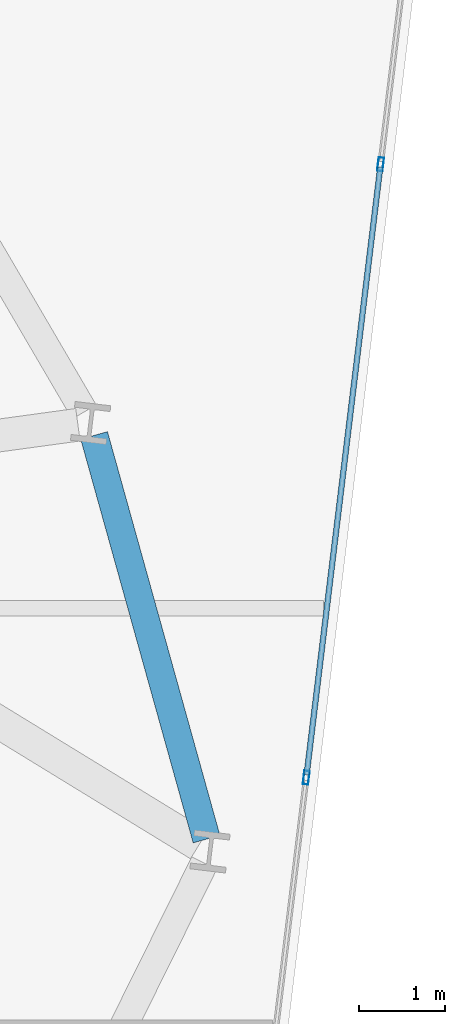
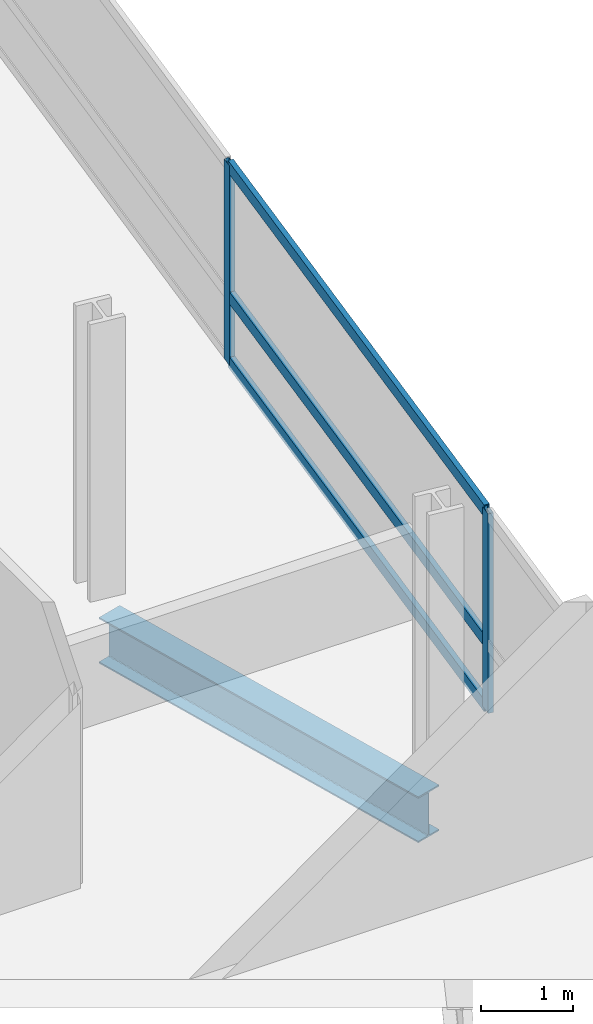
# One storey, part 16 of 26: 5 members, 1 beam, 1 element without a shape of its own.
"""IFC4 building model written with IfcOpenShell, lengths in metres."""

from ifc_helpers import new_model, si_unit, direction, frame, origin, origin_2d, place, context, subcontext, project, spatial, hollow_rectangle, i_section, extrude, material, layer, layer_set, material_profile, profile_set, type_object, element, aggregate, save


model = new_model("IFC4")

# Units and contexts
model_context = context("Model", 3, precision=1e-05, world=origin(), true_north=direction((0.0, 1.0)))
body_context = subcontext(model_context, "Body", "Model", "MODEL_VIEW")
ifc_project = project(units=[si_unit("LENGTHUNIT", "METRE"), si_unit("AREAUNIT", "SQUARE_METRE"), si_unit("VOLUMEUNIT", "CUBIC_METRE"), si_unit("PLANEANGLEUNIT", "RADIAN"), si_unit("MASSUNIT", "GRAM", prefix="KILO")], contexts=[model_context])

# Site, building, storey
site_placement = place(None, origin())
site = spatial("IfcSite", under=ifc_project, at=site_placement, CompositionType="ELEMENT")
building_placement = place(site_placement, origin())
building = spatial("IfcBuilding", under=site, at=building_placement, Name="Varnelok Gate Tower", CompositionType="ELEMENT")
storey_placement = place(building_placement, frame((0.0, 0.0, 158.699951171875)))
storey = spatial("IfcBuildingStorey", under=building, at=storey_placement, Name="L40", CompositionType="ELEMENT", Elevation=158.699951171875)

# Beam
ifc_material_1 = material(Name="Structural Steel ASTM A992 Grade 50", Category="steel")
ifc_material_profile_1 = material_profile(ifc_material_1, i_section(OverallWidth=0.323974609375, OverallDepth=0.611083984375, WebThickness=0.0126953125, FlangeThickness=0.01904296875, FilletRadius=0.01806640625, at=origin_2d()), Name="W24X104")
ifc_profile_set_1 = profile_set([ifc_material_profile_1], Name="Structural Steel ASTM A992 Grade 50")
beam_type = type_object("IfcBeamType", Name="BM-SPN-W24X104", PredefinedType="SPANDREL", material=ifc_profile_set_1)
beam_placement = place(storey_placement, frame((74.395263671875, 16.54931640625, -0.555419921875), z_axis=(-0.26833732875, 0.963325011613, 0.0), x_axis=(-0.963325011613, -0.26833732875, 0.0)))
element("IfcBeam", 1, at=beam_placement, inside=storey, type_object=beam_type, Name="L40 Perimeter Spandrel Beam 7", PredefinedType="SPANDREL", context=body_context, shape_type="SweptSolid", body=[
    extrude(i_section(OverallWidth=0.323974609375, OverallDepth=0.611083984375, WebThickness=0.0126953125, FlangeThickness=0.01904296875, FilletRadius=0.01806640625, at=origin_2d()), origin(), (0.0, 0.0, 1.0), 4.884033203125),
])

# Curtain wall, members
ifc_material_2 = material(Name="Anodized Aluminum Alloy 6063-T6", Category="aluminium")
ifc_layer = layer(ifc_material_2, 0.179931640625)
ifc_layer_set = layer_set([ifc_layer], Name="Anodized Aluminum Alloy 6063-T6")
curtain_wall_type = type_object("IfcCurtainWallType", Name="CW3-HOTEL-VISION", PredefinedType="USERDEFINED", material=ifc_layer_set)
curtain_wall_placement = place(storey_placement, origin())
curtain_wall = element("IfcCurtainWall", 2, at=curtain_wall_placement, inside=storey, type_object=curtain_wall_type, Name="L40 East End Vision Curtain Wall", ObjectType="UNITISED CURTAIN WALL", PredefinedType="USERDEFINED")
ifc_material_profile_2 = material_profile(ifc_material_2, hollow_rectangle(XDim=0.06494140625, YDim=0.159912109375, WallThickness=0.00390625, at=origin_2d()), Name="ALU160X65X4")
ifc_profile_set_2 = profile_set([ifc_material_profile_2], Name="Anodized Aluminum Alloy 6063-T6")
member_type_1 = type_object("IfcMemberType", Name="CW-MULL-160", PredefinedType="MULLION", material=ifc_profile_set_2)
member_1_placement = place(storey_placement, frame((76.423828125, 24.413818359375, 0.0), z_axis=(0.0, 0.0, 1.0), x_axis=(0.99273188146, -0.120347046212, 0.0)))
member_1 = element("IfcMember", 3, at=member_1_placement, type_object=member_type_1, Name="CW3 mullion 3", PredefinedType="MULLION", context=body_context, shape_type="SweptSolid", body=[
    extrude(hollow_rectangle(XDim=0.06494140625, YDim=0.159912109375, WallThickness=0.00390625, at=origin_2d()), origin(), (0.0, 0.0, 1.0), 2.66015625),
])
member_2_placement = place(storey_placement, frame((75.557373046875, 17.26611328125, 0.0), z_axis=(0.0, 0.0, 1.0), x_axis=(0.99273188146, -0.120347046212, 0.0)))
member_2 = element("IfcMember", 4, at=member_2_placement, type_object=member_type_1, Name="CW3 mullion 4", PredefinedType="MULLION", context=body_context, shape_type="SweptSolid", body=[
    extrude(hollow_rectangle(XDim=0.06494140625, YDim=0.159912109375, WallThickness=0.00390625, at=origin_2d()), origin(), (0.0, 0.0, 1.0), 2.66015625),
])
ifc_material_profile_3 = material_profile(ifc_material_2, hollow_rectangle(XDim=0.06494140625, YDim=0.159912109375, WallThickness=0.00390625, at=origin_2d()), Name="ALU160X65X4")
ifc_profile_set_3 = profile_set([ifc_material_profile_3], Name="Anodized Aluminum Alloy 6063-T6")
member_type_2 = type_object("IfcMemberType", Name="CW-TRAN-160", PredefinedType="USERDEFINED", material=ifc_profile_set_3)
member_3_placement = place(storey_placement, frame((76.419921875, 24.381591796875, 0.032470703125), z_axis=(-0.120340564253, -0.992732667235, 0.0), x_axis=(0.992732667235, -0.120340564253, 0.0)))
member_3 = element("IfcMember", 5, at=member_3_placement, type_object=member_type_2, Name="CW3 transom 3.1", ObjectType="TRANSOM", PredefinedType="USERDEFINED", context=body_context, shape_type="SweptSolid", body=[
    extrude(hollow_rectangle(XDim=0.06494140625, YDim=0.159912109375, WallThickness=0.00390625, at=origin_2d()), origin(), (0.0, 0.0, 1.0), 7.135009765625),
])
member_4_placement = place(storey_placement, frame((76.419921875, 24.381591796875, 0.900146484375), z_axis=(-0.120340564253, -0.992732667235, 0.0), x_axis=(0.992732667235, -0.120340564253, 0.0)))
member_4 = element("IfcMember", 6, at=member_4_placement, type_object=member_type_2, Name="CW3 transom 3.2", ObjectType="TRANSOM", PredefinedType="USERDEFINED", context=body_context, shape_type="SweptSolid", body=[
    extrude(hollow_rectangle(XDim=0.06494140625, YDim=0.159912109375, WallThickness=0.00390625, at=origin_2d()), origin(), (0.0, 0.0, 1.0), 7.135009765625),
])
member_5_placement = place(storey_placement, frame((76.419921875, 24.381591796875, 2.62744140625), z_axis=(-0.120340564253, -0.992732667235, 0.0), x_axis=(0.992732667235, -0.120340564253, 0.0)))
member_5 = element("IfcMember", 7, at=member_5_placement, type_object=member_type_2, Name="CW3 transom 3.3", ObjectType="TRANSOM", PredefinedType="USERDEFINED", context=body_context, shape_type="SweptSolid", body=[
    extrude(hollow_rectangle(XDim=0.06494140625, YDim=0.159912109375, WallThickness=0.00390625, at=origin_2d()), origin(), (0.0, 0.0, 1.0), 7.135009765625),
])
aggregate(curtain_wall, [member_1, member_2, member_3, member_4, member_5])

save(model, "model.ifc")
